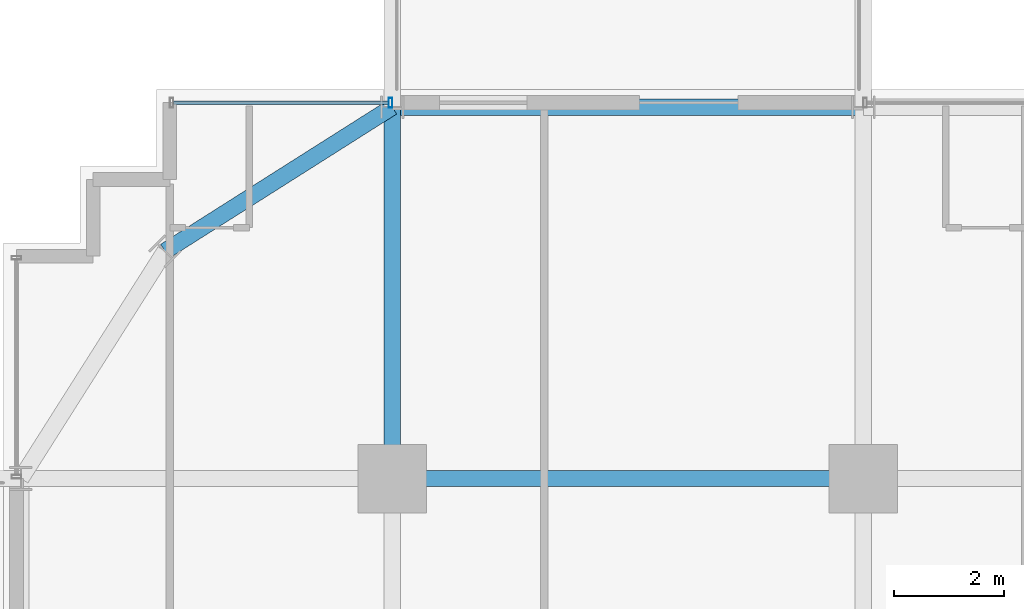
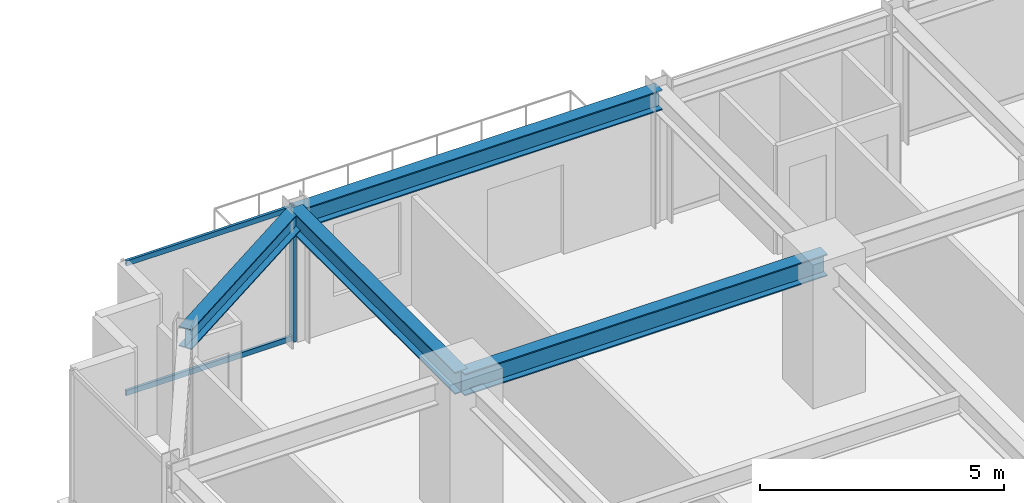
# One storey, part 19 of 35: 4 beams, 3 members, 1 element without a shape of its own.
"""IFC4 building model written with IfcOpenShell, lengths in metres."""

from ifc_helpers import new_model, si_unit, direction, frame, origin, origin_2d, place, context, subcontext, project, spatial, hollow_rectangle, i_section, extrude, source, transform, mapped, material, material_profile, profile_set, type_object, element, aggregate, save


model = new_model("IFC4")

# Units and contexts
model_context = context("Model", 3, precision=1e-05, world=origin(), true_north=direction((0.0, 1.0)))
body_context = subcontext(model_context, "Body", "Model", "MODEL_VIEW")
ifc_project = project(units=[si_unit("LENGTHUNIT", "METRE"), si_unit("AREAUNIT", "SQUARE_METRE"), si_unit("VOLUMEUNIT", "CUBIC_METRE"), si_unit("PLANEANGLEUNIT", "RADIAN"), si_unit("MASSUNIT", "GRAM", prefix="KILO")], contexts=[model_context])

# Site, building, storey
site_placement = place(None, origin())
site = spatial("IfcSite", under=ifc_project, at=site_placement, CompositionType="ELEMENT")
building_placement = place(site_placement, origin())
building = spatial("IfcBuilding", under=site, at=building_placement, Name="Nahalor Promenade Grand Hotel", CompositionType="ELEMENT")
storey_placement = place(building_placement, frame((0.0, 0.0, 106.550048828125)))
storey = spatial("IfcBuildingStorey", under=building, at=storey_placement, Name="L26", CompositionType="ELEMENT", Elevation=106.550048828125)

# Beams
ifc_material_1 = material(Name="Steel S355JR", Category="steel")
ifc_material_profile_1 = material_profile(ifc_material_1, i_section(OverallWidth=0.3, OverallDepth=0.5, WebThickness=0.0145, FlangeThickness=0.028, at=origin_2d()), Name="HEB 500")
ifc_profile_set_1 = profile_set([ifc_material_profile_1], Name="Steel S355JR")
beam_type_1 = type_object("IfcBeamType", Name="Beam-Spandrel-HEB500", PredefinedType="SPANDREL", material=ifc_profile_set_1)
shared_shape_1 = source(origin(), body_context, "Body", "SweptSolid", [
    extrude(i_section(OverallWidth=0.3, OverallDepth=0.5, WebThickness=0.0145, FlangeThickness=0.028, at=origin_2d()), origin(), (0.0, 0.0, 1.0), 8.60009765625),
])
beam_1_placement = place(storey_placement, frame((-17.0, 23.780029296875, 3.1298828125), z_axis=(1.0, 0.0, 0.0), x_axis=(0.0, 1.0, 0.0)))
element("IfcBeam", 1, at=beam_1_placement, inside=storey, type_object=beam_type_1, Name="BM-L26-SP-N-0", PredefinedType="SPANDREL", context=body_context, shape_type="MappedRepresentation", body=[
    mapped(shared_shape_1, transform((0.0, 0.0, 0.0), scale=1.0)),
])
shared_shape_2 = source(origin(), body_context, "Body", "SweptSolid", [
    extrude(i_section(OverallWidth=0.3, OverallDepth=0.5, WebThickness=0.0145, FlangeThickness=0.028, at=origin_2d()), origin(), (0.0, 0.0, 1.0), 4.9130859375),
])
beam_2_placement = place(storey_placement, frame((-17.0, 23.780029296875, 3.1298828125), z_axis=(-0.844648325505, -0.535321591403, 0.0), x_axis=(0.535321591403, -0.844648325505, 0.0)))
element("IfcBeam", 2, at=beam_2_placement, inside=storey, type_object=beam_type_1, Name="BM-L26-SPC-NW-1", PredefinedType="SPANDREL", context=body_context, shape_type="MappedRepresentation", body=[
    mapped(shared_shape_2, transform((0.0, 0.0, 0.0), scale=1.0)),
])
ifc_material_profile_2 = material_profile(ifc_material_1, i_section(OverallWidth=0.3, OverallDepth=0.55, WebThickness=0.015, FlangeThickness=0.029, at=origin_2d()), Name="HEB 550")
ifc_profile_set_2 = profile_set([ifc_material_profile_2], Name="Steel S355JR")
beam_type_2 = type_object("IfcBeamType", Name="Beam-Girder-HEB550", PredefinedType="BEAM", material=ifc_profile_set_2)
shared_shape_3 = source(origin(), body_context, "Body", "SweptSolid", [
    extrude(i_section(OverallWidth=0.3, OverallDepth=0.55, WebThickness=0.015, FlangeThickness=0.029, at=origin_2d()), origin(), (0.0, 0.0, 1.0), 6.780029296875),
])
beam_3_placement = place(storey_placement, frame((-17.0, 17.0, 3.10498046875), z_axis=(0.0, 1.0, 0.0), x_axis=(-1.0, 0.0, 0.0)))
element("IfcBeam", 3, at=beam_3_placement, inside=storey, type_object=beam_type_2, Name="BM-L26-GY-0-4", PredefinedType="BEAM", context=body_context, shape_type="MappedRepresentation", body=[
    mapped(shared_shape_3, transform((0.0, 0.0, 0.0), scale=1.0)),
])
shared_shape_4 = source(origin(), body_context, "Body", "SweptSolid", [
    extrude(i_section(OverallWidth=0.3, OverallDepth=0.55, WebThickness=0.015, FlangeThickness=0.029, at=origin_2d()), origin(), (0.0, 0.0, 1.0), 8.60009765625),
])
beam_4_placement = place(storey_placement, frame((-17.0, 17.0, 3.10498046875), z_axis=(1.0, 0.0, 0.0), x_axis=(0.0, 1.0, 0.0)))
element("IfcBeam", 4, at=beam_4_placement, inside=storey, type_object=beam_type_2, Name="BM-L26-GX-3-1", PredefinedType="BEAM", context=body_context, shape_type="MappedRepresentation", body=[
    mapped(shared_shape_4, transform((0.0, 0.0, 0.0), scale=1.0)),
])

# Curtain wall, members
ifc_material_2 = material(Name="Anodised Bronze Aluminium EN AW-6063 T6", Category="aluminium")
curtain_wall_type = type_object("IfcCurtainWallType", Name="CW2 Typical Hotel Flush Bronze Unitised Curtain Wall", PredefinedType="USERDEFINED", material=ifc_material_2)
curtain_wall_placement = place(storey_placement, origin())
curtain_wall = element("IfcCurtainWall", 5, at=curtain_wall_placement, inside=storey, type_object=curtain_wall_type, Name="L26 Curtain Wall CW-L26-N-1", ObjectType="UNITISED_CURTAIN_WALL", PredefinedType="USERDEFINED")
ifc_material_profile_3 = material_profile(ifc_material_2, hollow_rectangle(XDim=0.065, YDim=0.18, WallThickness=0.004, at=origin_2d()), Name="CWM 65x180x4")
ifc_profile_set_3 = profile_set([ifc_material_profile_3], Name="Anodised Bronze Aluminium EN AW-6063 T6")
member_type_1 = type_object("IfcMemberType", Name="CWM2 Typical Bronze Mullion 65x180", PredefinedType="MULLION", material=ifc_profile_set_3)
shared_shape_5 = source(origin(), body_context, "Body", "SweptSolid", [
    extrude(hollow_rectangle(XDim=0.065, YDim=0.18, WallThickness=0.004, at=origin_2d()), origin(), (0.0, 0.0, 1.0), 3.3798828125),
])
member_1_placement = place(storey_placement, frame((-17.032470703125, 23.860107421875, 0.0), z_axis=(0.0, 0.0, 1.0), x_axis=(1.0, 0.0, 0.0)))
member_1 = element("IfcMember", 6, at=member_1_placement, type_object=member_type_1, Name="CW-L26-N-1 Mullion 1", PredefinedType="MULLION", context=body_context, shape_type="MappedRepresentation", body=[
    mapped(shared_shape_5, transform((0.0, 0.0, 0.0), scale=1.0)),
])
ifc_material_profile_4 = material_profile(ifc_material_2, hollow_rectangle(XDim=0.065, YDim=0.13, WallThickness=0.004, at=origin_2d()), Name="CWT 65x130x4")
ifc_profile_set_4 = profile_set([ifc_material_profile_4], Name="Anodised Bronze Aluminium EN AW-6063 T6")
member_type_2 = type_object("IfcMemberType", Name="CWT2 Typical Bronze Transom 65x130", PredefinedType="USERDEFINED", material=ifc_profile_set_4)
shared_shape_6 = source(origin(), body_context, "Body", "SweptSolid", [
    extrude(hollow_rectangle(XDim=0.065, YDim=0.13, WallThickness=0.004, at=origin_2d()), origin(), (0.0, 0.0, 1.0), 3.93017578125),
])
member_2_placement = place(storey_placement, frame((-20.9951171875, 23.860107421875, 0.06494140625), z_axis=(1.0, 0.0, 0.0), x_axis=(0.0, 1.0, 0.0)))
member_2 = element("IfcMember", 7, at=member_2_placement, type_object=member_type_2, Name="CW-L26-N-1 Transom 0-0", ObjectType="TRANSOM", PredefinedType="USERDEFINED", context=body_context, shape_type="MappedRepresentation", body=[
    mapped(shared_shape_6, transform((0.0, 0.0, 0.0), scale=1.0)),
])
member_3_placement = place(storey_placement, frame((-20.9951171875, 23.860107421875, 3.31494140625), z_axis=(1.0, 0.0, 0.0), x_axis=(0.0, 1.0, 0.0)))
member_3 = element("IfcMember", 8, at=member_3_placement, type_object=member_type_2, Name="CW-L26-N-1 Transom 0-1", ObjectType="TRANSOM", PredefinedType="USERDEFINED", context=body_context, shape_type="MappedRepresentation", body=[
    mapped(shared_shape_6, transform((0.0, 0.0, 0.0), scale=1.0)),
])
aggregate(curtain_wall, [member_1, member_2, member_3])

save(model, "model.ifc")
